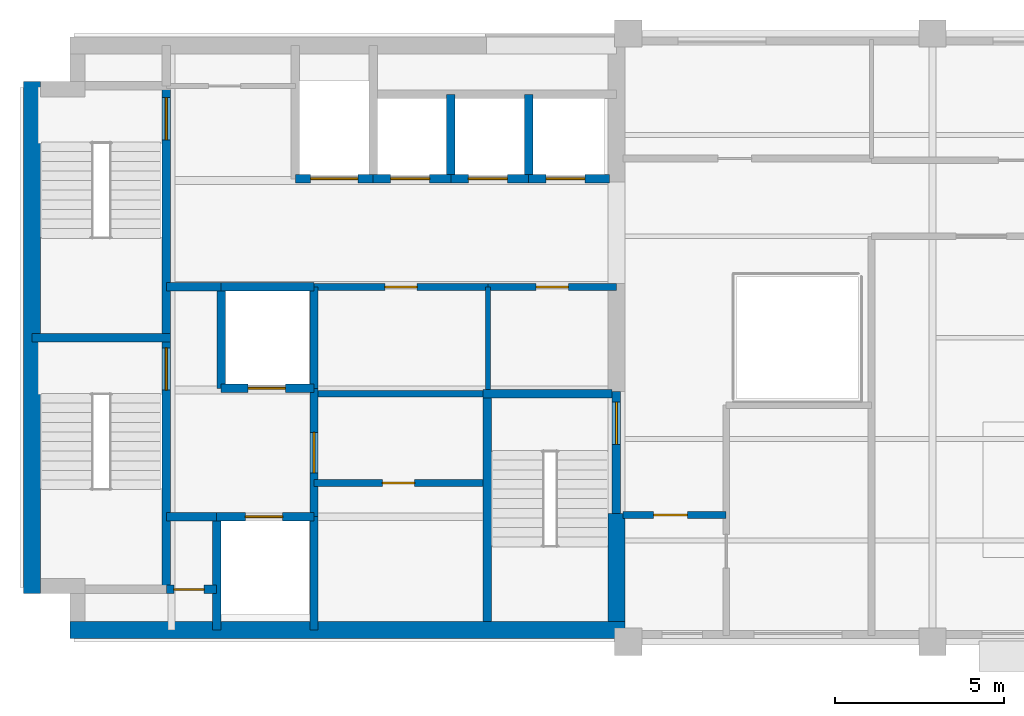
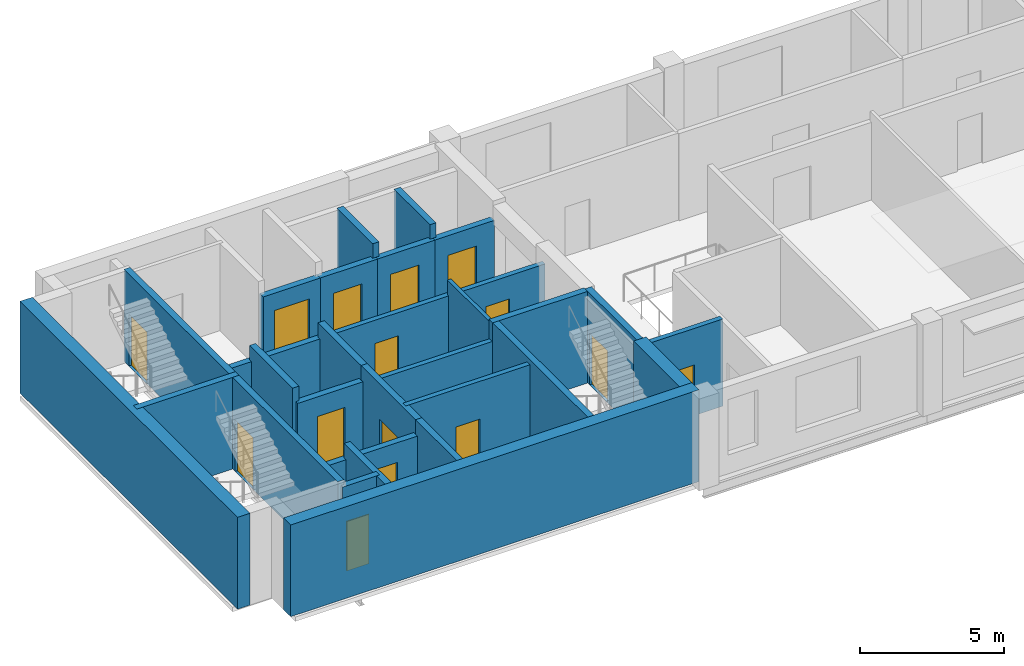
# One storey, part 2 of 5: 32 walls, 15 doors, 15 openings.
"""IFC4 building model written with IfcOpenShell, lengths in metres."""

from ifc_helpers import new_model, si_unit, direction, frame, frame_2d, origin, place, context, subcontext, project, spatial, rectangle, extrude, material, layer, layer_set, type_object, element, fill, save


model = new_model("IFC4")

# Units and contexts
model_context = context("Model", 3, precision=1e-05, world=origin(), true_north=direction((0.0, 1.0)))
body_context = subcontext(model_context, "Body", "Model", "MODEL_VIEW")
ifc_project = project(units=[si_unit("LENGTHUNIT", "METRE"), si_unit("AREAUNIT", "SQUARE_METRE"), si_unit("VOLUMEUNIT", "CUBIC_METRE"), si_unit("PLANEANGLEUNIT", "RADIAN"), si_unit("MASSUNIT", "GRAM", prefix="KILO")], contexts=[model_context])

# Site, building, storey
site_placement = place(None, origin())
site = spatial("IfcSite", under=ifc_project, at=site_placement, CompositionType="ELEMENT")
building_placement = place(site_placement, origin())
building = spatial("IfcBuilding", under=site, at=building_placement, Name="Mawjdan Bourse Tower", CompositionType="ELEMENT")
storey_placement = place(building_placement, frame((0.0, 0.0, 270.300048828125)))
storey = spatial("IfcBuildingStorey", under=building, at=storey_placement, Name="L66", CompositionType="ELEMENT", Elevation=270.300048828125)

# Wall, opening, door
ifc_material_1 = material(Name="Gypsum Fireboard Assembly")
ifc_layer_1 = layer(ifc_material_1, 0.199951171875)
ifc_layer_set_1 = layer_set([ifc_layer_1], Name="Gypsum Fireboard Assembly")
wall_type_1 = type_object("IfcWallType", Name="WL-CMP-200", PredefinedType="PARTITIONING", material=ifc_layer_set_1)
wall_1_placement = place(storey_placement, frame((14.699951171875, 7.699951171875, 0.0), z_axis=(0.0, 0.0, 1.0), x_axis=(1.0, 0.0, 0.0)))
wall_1 = element("IfcWall", 1, at=wall_1_placement, inside=storey, type_object=wall_type_1, Name="L66 Staff Tea Pantry North Wall", PredefinedType="PARTITIONING", context=body_context, shape_type="SweptSolid", body=[
    extrude(rectangle(XDim=5.0, YDim=0.199951171875, at=frame_2d((2.5, 0.0))), origin(), (0.0, 0.0, 1.0), 3.704833984375),
])
opening_1_placement = place(wall_1_placement, frame((2.02490234375, 0.0, 0.0)))
opening_1 = element("IfcOpeningElement", 2, at=opening_1_placement, cuts=wall_1, Name="Opening D-L66-13", PredefinedType="OPENING", context=body_context, shape_type="SweptSolid", body=[
    extrude(rectangle(XDim=0.949951171875, YDim=2.10009765625, at=frame_2d((0.47509765625, 1.050048828125))), frame((0.0, 0.10986328125, 0.0), z_axis=(0.0, -1.0, 0.0), x_axis=(1.0, 0.0, 0.0)), (0.0, 0.0, 1.0), 0.219970703125),
])
ifc_material_2 = material(Name="Moisture-Resistant Laminate Timber", Category="wood")
door_type_1 = type_object("IfcDoorType", Name="DR-WET-0950", OperationType="NOTDEFINED", PredefinedType="DOOR", material=ifc_material_2)
door_1_placement = place(opening_1_placement, origin())
door_1 = element("IfcDoor", 3, at=door_1_placement, inside=storey, type_object=door_type_1, Name="L66 Staff Tea Pantry Door D-L66-13", OperationType="SINGLE_SWING_LEFT", OverallHeight=2.10009765625, OverallWidth=0.949951171875, PredefinedType="DOOR", context=body_context, shape_type="SweptSolid", body=[
    extrude(rectangle(XDim=0.949951171875, YDim=2.10009765625, at=frame_2d((0.47509765625, 1.050048828125))), frame((0.0, 0.02490234375, 0.0), z_axis=(0.0, -1.0, 0.0), x_axis=(1.0, 0.0, 0.0)), (0.0, 0.0, 1.0), 0.050048828125),
])
fill(opening_1, door_1)

# Wall
wall_2_placement = place(storey_placement, frame((14.824951171875, 10.340087890625, 0.0), z_axis=(0.0, 0.0, 1.0), x_axis=(1.0, 0.0, 0.0)))
element("IfcWall", 4, at=wall_2_placement, inside=storey, type_object=wall_type_1, Name="L66 Core Restroom Suite South Wall", PredefinedType="PARTITIONING", context=body_context, shape_type="SweptSolid", body=[
    extrude(rectangle(XDim=4.880126953125, YDim=0.199951171875, at=frame_2d((2.43994140625, 0.0))), origin(), (0.0, 0.0, 1.0), 3.087890625),
])

# Wall, opening, door
wall_3_placement = place(storey_placement, frame((14.699951171875, 13.5, 0.0), z_axis=(0.0, 0.0, 1.0), x_axis=(1.0, 0.0, 0.0)))
wall_3 = element("IfcWall", 5, at=wall_3_placement, inside=storey, type_object=wall_type_1, Name="L66 Accessible WC North Wall", PredefinedType="PARTITIONING", context=body_context, shape_type="SweptSolid", body=[
    extrude(rectangle(XDim=5.150146484375, YDim=0.199951171875, at=frame_2d((2.5751953125, 0.0))), origin(), (0.0, 0.0, 1.0), 3.087890625),
])
opening_2_placement = place(wall_3_placement, frame((2.10009765625, 0.0, 0.0)))
opening_2 = element("IfcOpeningElement", 6, at=opening_2_placement, cuts=wall_3, Name="Opening D-L66-14", PredefinedType="OPENING", context=body_context, shape_type="SweptSolid", body=[
    extrude(rectangle(XDim=0.949951171875, YDim=2.10009765625, at=frame_2d((0.47509765625, 1.050048828125))), frame((0.0, 0.10986328125, 0.0), z_axis=(0.0, -1.0, 0.0), x_axis=(1.0, 0.0, 0.0)), (0.0, 0.0, 1.0), 0.219970703125),
])
door_2_placement = place(opening_2_placement, origin())
door_2 = element("IfcDoor", 7, at=door_2_placement, inside=storey, type_object=door_type_1, Name="L66 Accessible WC Door D-L66-14", OperationType="SINGLE_SWING_RIGHT", OverallHeight=2.10009765625, OverallWidth=0.949951171875, PredefinedType="DOOR", context=body_context, shape_type="SweptSolid", body=[
    extrude(rectangle(XDim=0.949951171875, YDim=2.10009765625, at=frame_2d((0.47509765625, 1.050048828125))), frame((0.0, 0.02490234375, 0.0), z_axis=(0.0, -1.0, 0.0), x_axis=(1.0, 0.0, 0.0)), (0.0, 0.0, 1.0), 0.050048828125),
])
fill(opening_2, door_2)

wall_4_placement = place(storey_placement, frame((19.85009765625, 13.5, 0.0), z_axis=(0.0, 0.0, 1.0), x_axis=(1.0, 0.0, 0.0)))
wall_4 = element("IfcWall", 8, at=wall_4_placement, inside=storey, type_object=wall_type_1, Name="L66 Executive Restroom Suite North Wall", PredefinedType="PARTITIONING", context=body_context, shape_type="SweptSolid", body=[
    extrude(rectangle(XDim=3.7998046875, YDim=0.199951171875, at=frame_2d((1.89990234375, 0.0))), origin(), (0.0, 0.0, 1.0), 3.087890625),
])
opening_3_placement = place(wall_4_placement, frame((1.425048828125, 0.0, 0.0)))
opening_3 = element("IfcOpeningElement", 9, at=opening_3_placement, cuts=wall_4, Name="Opening D-L66-15", PredefinedType="OPENING", context=body_context, shape_type="SweptSolid", body=[
    extrude(rectangle(XDim=0.949951171875, YDim=2.10009765625, at=frame_2d((0.47509765625, 1.050048828125))), frame((0.0, 0.10986328125, 0.0), z_axis=(0.0, -1.0, 0.0), x_axis=(1.0, 0.0, 0.0)), (0.0, 0.0, 1.0), 0.219970703125),
])
door_3_placement = place(opening_3_placement, origin())
door_3 = element("IfcDoor", 10, at=door_3_placement, inside=storey, type_object=door_type_1, Name="L66 Executive Restroom Suite Door D-L66-15", OperationType="SINGLE_SWING_LEFT", OverallHeight=2.10009765625, OverallWidth=0.949951171875, PredefinedType="DOOR", context=body_context, shape_type="SweptSolid", body=[
    extrude(rectangle(XDim=0.949951171875, YDim=2.10009765625, at=frame_2d((0.47509765625, 1.050048828125))), frame((0.0, 0.02490234375, 0.0), z_axis=(0.0, -1.0, 0.0), x_axis=(1.0, 0.0, 0.0)), (0.0, 0.0, 1.0), 0.050048828125),
])
fill(opening_3, door_3)

wall_5_placement = place(storey_placement, frame((23.85009765625, 6.75, 0.0), z_axis=(0.0, 0.0, 1.0), x_axis=(1.0, 0.0, 0.0)))
wall_5 = element("IfcWall", 11, at=wall_5_placement, inside=storey, type_object=wall_type_1, Name="L66 Summit SW Study North Wall", PredefinedType="PARTITIONING", context=body_context, shape_type="SweptSolid", body=[
    extrude(rectangle(XDim=3.0498046875, YDim=0.199951171875, at=frame_2d((1.52490234375, 0.0))), origin(), (0.0, 0.0, 1.0), 3.704833984375),
])
opening_4_placement = place(wall_5_placement, frame((0.89990234375, 0.0, 0.0)))
opening_4 = element("IfcOpeningElement", 12, at=opening_4_placement, cuts=wall_5, Name="Opening D-L66-17", PredefinedType="OPENING", context=body_context, shape_type="SweptSolid", body=[
    extrude(rectangle(XDim=1.0, YDim=2.14990234375, at=frame_2d((0.5, 1.074951171875))), frame((0.0, 0.10986328125, 0.0), z_axis=(0.0, -1.0, 0.0), x_axis=(1.0, 0.0, 0.0)), (0.0, 0.0, 1.0), 0.219970703125),
])
ifc_material_3 = material(Name="Hardwood Acoustic Leaf", Category="wood")
door_type_2 = type_object("IfcDoorType", Name="DR-OFC-1000", OperationType="NOTDEFINED", PredefinedType="DOOR", material=ifc_material_3)
door_4_placement = place(opening_4_placement, origin())
door_4 = element("IfcDoor", 13, at=door_4_placement, inside=storey, type_object=door_type_2, Name="L66 Summit SW Study Door D-L66-17", OperationType="SINGLE_SWING_LEFT", OverallHeight=2.14990234375, OverallWidth=1.0, PredefinedType="DOOR", context=body_context, shape_type="SweptSolid", body=[
    extrude(rectangle(XDim=1.0, YDim=2.14990234375, at=frame_2d((0.5, 1.074951171875))), frame((0.0, 0.02490234375, 0.0), z_axis=(0.0, -1.0, 0.0), x_axis=(1.0, 0.0, 0.0)), (0.0, 0.0, 1.0), 0.050048828125),
])
fill(opening_4, door_4)

# Walls
ifc_material_4 = material(Name="Concrete C60/75", Category="concrete")
ifc_layer_2 = layer(ifc_material_4, 0.5)
ifc_layer_set_2 = layer_set([ifc_layer_2], Name="Concrete C60/75")
wall_type_2 = type_object("IfcWallType", Name="WL-CORE-500", PredefinedType="SHEAR", material=ifc_layer_set_2)
wall_6_placement = place(storey_placement, frame((7.47509765625, 3.35009765625, 0.0), z_axis=(0.0, 0.0, 1.0), x_axis=(1.0, 0.0, 0.0)))
element("IfcWall", 14, at=wall_6_placement, inside=storey, type_object=wall_type_2, Name="L66 Rear Core Shear Wall S", PredefinedType="SHEAR", context=body_context, shape_type="SweptSolid", body=[
    extrude(rectangle(XDim=16.4248046875, YDim=0.5, at=frame_2d((8.21240234375, 0.0))), origin(), (0.0, 0.0, 1.0), 3.89990234375),
])
wall_7_placement = place(storey_placement, frame((6.35009765625, 4.425048828125, 0.0), z_axis=(0.0, 0.0, 1.0), x_axis=(0.0, 1.0, 0.0)))
element("IfcWall", 15, at=wall_7_placement, inside=storey, type_object=wall_type_2, Name="L66 Rear Core Shear Wall W", PredefinedType="SHEAR", context=body_context, shape_type="SweptSolid", body=[
    extrude(rectangle(XDim=15.14990234375, YDim=0.5, at=frame_2d((7.574951171875, 0.0))), origin(), (0.0, 0.0, 1.0), 3.89990234375),
])
wall_8_placement = place(storey_placement, frame((23.64990234375, 3.60009765625, 0.0), z_axis=(0.0, 0.0, 1.0), x_axis=(0.0, 1.0, 0.0)))
element("IfcWall", 16, at=wall_8_placement, inside=storey, type_object=wall_type_2, Name="L66 Rear Core Shear Wall E1", PredefinedType="SHEAR", context=body_context, shape_type="SweptSolid", body=[
    extrude(rectangle(XDim=3.199951171875, YDim=0.5, at=frame_2d((1.60009765625, 0.0))), origin(), (0.0, 0.0, 1.0), 3.89990234375),
])
ifc_material_5 = material(Name="Gypsum Acoustic Partition")
ifc_layer_3 = layer(ifc_material_5, 0.14990234375)
ifc_layer_set_3 = layer_set([ifc_layer_3], Name="Gypsum Acoustic Partition")
wall_type_3 = type_object("IfcWallType", Name="WL-PRT-150", PredefinedType="PARTITIONING", material=ifc_layer_set_3)
wall_9_placement = place(storey_placement, frame((19.85009765625, 10.465087890625, 0.0), z_axis=(0.0, 0.0, 1.0), x_axis=(0.0, 1.0, 0.0)))
element("IfcWall", 17, at=wall_9_placement, inside=storey, type_object=wall_type_3, Name="L66 Executive Restroom Suite Split Wall", PredefinedType="PARTITIONING", context=body_context, shape_type="SweptSolid", body=[
    extrude(rectangle(XDim=3.034912109375, YDim=0.14990234375, at=frame_2d((1.517578125, 0.0))), origin(), (0.0, 0.0, 1.0), 3.704833984375),
])

# Wall, opening, door
ifc_material_6 = material(Name="Concrete C50/60", Category="concrete")
ifc_layer_4 = layer(ifc_material_6, 0.25)
ifc_layer_set_4 = layer_set([ifc_layer_4], Name="Concrete C50/60")
wall_type_4 = type_object("IfcWallType", Name="WL-SHFT-250", PredefinedType="PARTITIONING", material=ifc_layer_set_4)
wall_10_placement = place(storey_placement, frame((10.330078125, 4.550048828125, 0.0), z_axis=(0.0, 0.0, 1.0), x_axis=(1.0, 0.0, 0.0)))
wall_10 = element("IfcWall", 18, at=wall_10_placement, inside=storey, type_object=wall_type_4, Name="L66 SW Riser North Wall", PredefinedType="PARTITIONING", context=body_context, shape_type="SweptSolid", body=[
    extrude(rectangle(XDim=1.489990234375, YDim=0.25, at=frame_2d((0.7451171875, 0.0))), origin(), (0.0, 0.0, 1.0), 3.704833984375),
])
opening_5_placement = place(wall_10_placement, frame((0.219970703125, 0.0, 0.0)))
opening_5 = element("IfcOpeningElement", 19, at=opening_5_placement, cuts=wall_10, Name="Opening RD-L66-03", PredefinedType="OPENING", context=body_context, shape_type="SweptSolid", body=[
    extrude(rectangle(XDim=0.89990234375, YDim=2.10009765625, at=frame_2d((0.449951171875, 1.050048828125))), frame((0.0, 0.135009765625, 0.0), z_axis=(0.0, -1.0, 0.0), x_axis=(1.0, 0.0, 0.0)), (0.0, 0.0, 1.0), 0.27001953125),
])
ifc_material_7 = material(Name="Fire-Rated Steel Access Leaf", Category="steel")
door_type_3 = type_object("IfcDoorType", Name="FD-RSR-0900", OperationType="NOTDEFINED", PredefinedType="TRAPDOOR", material=ifc_material_7)
door_5_placement = place(opening_5_placement, origin())
door_5 = element("IfcDoor", 20, at=door_5_placement, inside=storey, type_object=door_type_3, Name="L66 Electrical Riser Access Door RD-L66-03", OperationType="SINGLE_SWING_LEFT", OverallHeight=2.10009765625, OverallWidth=0.89990234375, PredefinedType="TRAPDOOR", context=body_context, shape_type="SweptSolid", body=[
    extrude(rectangle(XDim=0.89990234375, YDim=2.10009765625, at=frame_2d((0.449951171875, 1.050048828125))), frame((0.0, 0.02490234375, 0.0), z_axis=(0.0, -1.0, 0.0), x_axis=(1.0, 0.0, 0.0)), (0.0, 0.0, 1.0), 0.050048828125),
])
fill(opening_5, door_5)

# Wall
wall_11_placement = place(storey_placement, frame((11.820068359375, 3.35009765625, 0.0), z_axis=(0.0, 0.0, 1.0), x_axis=(0.0, 1.0, 0.0)))
element("IfcWall", 21, at=wall_11_placement, inside=storey, type_object=wall_type_4, Name="L66 SW Riser & FFL01 West Wall", PredefinedType="PARTITIONING", context=body_context, shape_type="SweptSolid", body=[
    extrude(rectangle(XDim=3.349853515625, YDim=0.25, at=frame_2d((1.6748046875, 0.0))), origin(), (0.0, 0.0, 1.0), 3.704833984375),
])

# Wall, opening, door
wall_12_placement = place(storey_placement, frame((11.820068359375, 6.699951171875, 0.0), z_axis=(0.0, 0.0, 1.0), x_axis=(1.0, 0.0, 0.0)))
wall_12 = element("IfcWall", 22, at=wall_12_placement, inside=storey, type_object=wall_type_4, Name="L66 FFL-01 Front Shaft Wall", PredefinedType="PARTITIONING", context=body_context, shape_type="SweptSolid", body=[
    extrude(rectangle(XDim=2.8798828125, YDim=0.25, at=frame_2d((1.43994140625, 0.0))), origin(), (0.0, 0.0, 1.0), 3.087890625),
])
opening_6_placement = place(wall_12_placement, frame((0.85009765625, 0.0, 0.0)))
opening_6 = element("IfcOpeningElement", 23, at=opening_6_placement, cuts=wall_12, Name="Opening LD-L66-05", PredefinedType="OPENING", context=body_context, shape_type="SweptSolid", body=[
    extrude(rectangle(XDim=1.10009765625, YDim=2.25, at=frame_2d((0.550048828125, 1.125))), frame((0.0, 0.135009765625, 0.0), z_axis=(0.0, -1.0, 0.0), x_axis=(1.0, 0.0, 0.0)), (0.0, 0.0, 1.0), 0.27001953125),
])
ifc_material_8 = material(Name="Brushed Stainless Steel", Category="steel")
door_type_4 = type_object("IfcDoorType", Name="LD-FFL-1100", OperationType="DOUBLE_DOOR_SLIDING", PredefinedType="DOOR", material=ifc_material_8)
door_6_placement = place(opening_6_placement, origin())
door_6 = element("IfcDoor", 24, at=door_6_placement, inside=storey, type_object=door_type_4, Name="L66 Firefighting Lift FFL-01 Landing Door LD-L66-05", OperationType="DOUBLE_DOOR_SLIDING", OverallHeight=2.25, OverallWidth=1.10009765625, PredefinedType="DOOR", context=body_context, shape_type="SweptSolid", body=[
    extrude(rectangle(XDim=1.10009765625, YDim=2.25, at=frame_2d((0.550048828125, 1.125))), frame((0.0, 0.02490234375, 0.0), z_axis=(0.0, -1.0, 0.0), x_axis=(1.0, 0.0, 0.0)), (0.0, 0.0, 1.0), 0.050048828125),
])
fill(opening_6, door_6)

# Wall
wall_13_placement = place(storey_placement, frame((14.699951171875, 3.35009765625, 0.0), z_axis=(0.0, 0.0, 1.0), x_axis=(0.0, 1.0, 0.0)))
element("IfcWall", 25, at=wall_13_placement, inside=storey, type_object=wall_type_4, Name="L66 FFL-01 East Shaft Wall", PredefinedType="PARTITIONING", context=body_context, shape_type="SweptSolid", body=[
    extrude(rectangle(XDim=3.349853515625, YDim=0.25, at=frame_2d((1.6748046875, 0.0))), origin(), (0.0, 0.0, 1.0), 3.704833984375),
])

# Wall, opening, door
wall_14_placement = place(storey_placement, frame((11.949951171875, 10.5, 0.0), z_axis=(0.0, 0.0, 1.0), x_axis=(1.0, 0.0, 0.0)))
wall_14 = element("IfcWall", 26, at=wall_14_placement, inside=storey, type_object=wall_type_4, Name="L66 FFL-02 Front Shaft Wall", PredefinedType="PARTITIONING", context=body_context, shape_type="SweptSolid", body=[
    extrude(rectangle(XDim=2.75, YDim=0.25, at=frame_2d((1.375, 0.0))), origin(), (0.0, 0.0, 1.0), 3.087890625),
])
opening_7_placement = place(wall_14_placement, frame((0.800048828125, 0.0, 0.0)))
opening_7 = element("IfcOpeningElement", 27, at=opening_7_placement, cuts=wall_14, Name="Opening LD-L66-06", PredefinedType="OPENING", context=body_context, shape_type="SweptSolid", body=[
    extrude(rectangle(XDim=1.10009765625, YDim=2.25, at=frame_2d((0.550048828125, 1.125))), frame((0.0, 0.135009765625, 0.0), z_axis=(0.0, -1.0, 0.0), x_axis=(1.0, 0.0, 0.0)), (0.0, 0.0, 1.0), 0.27001953125),
])
door_7_placement = place(opening_7_placement, origin())
door_7 = element("IfcDoor", 28, at=door_7_placement, inside=storey, type_object=door_type_4, Name="L66 Firefighting Lift FFL-02 Landing Door LD-L66-06", OperationType="DOUBLE_DOOR_SLIDING", OverallHeight=2.25, OverallWidth=1.10009765625, PredefinedType="DOOR", context=body_context, shape_type="SweptSolid", body=[
    extrude(rectangle(XDim=1.10009765625, YDim=2.25, at=frame_2d((0.550048828125, 1.125))), frame((0.0, 0.02490234375, 0.0), z_axis=(0.0, -1.0, 0.0), x_axis=(1.0, 0.0, 0.0)), (0.0, 0.0, 1.0), 0.050048828125),
])
fill(opening_7, door_7)

# Walls
wall_15_placement = place(storey_placement, frame((11.949951171875, 10.5, 0.0), z_axis=(0.0, 0.0, 1.0), x_axis=(0.0, 1.0, 0.0)))
element("IfcWall", 29, at=wall_15_placement, inside=storey, type_object=wall_type_4, Name="L66 FFL-02 West Shaft Wall", PredefinedType="PARTITIONING", context=body_context, shape_type="SweptSolid", body=[
    extrude(rectangle(XDim=3.0, YDim=0.25, at=frame_2d((1.5, 0.0))), origin(), (0.0, 0.0, 1.0), 3.704833984375),
])
wall_16_placement = place(storey_placement, frame((11.949951171875, 13.5, 0.0), z_axis=(0.0, 0.0, 1.0), x_axis=(1.0, 0.0, 0.0)))
element("IfcWall", 30, at=wall_16_placement, inside=storey, type_object=wall_type_4, Name="L66 FFL-02 North Shaft Wall", PredefinedType="PARTITIONING", context=body_context, shape_type="SweptSolid", body=[
    extrude(rectangle(XDim=2.75, YDim=0.25, at=frame_2d((1.375, 0.0))), origin(), (0.0, 0.0, 1.0), 3.087890625),
])
wall_17_placement = place(storey_placement, frame((14.699951171875, 10.5, 0.0), z_axis=(0.0, 0.0, 1.0), x_axis=(0.0, 1.0, 0.0)))
element("IfcWall", 31, at=wall_17_placement, inside=storey, type_object=wall_type_4, Name="L66 FFL-02 East Shaft Wall", PredefinedType="PARTITIONING", context=body_context, shape_type="SweptSolid", body=[
    extrude(rectangle(XDim=3.0, YDim=0.25, at=frame_2d((1.5, 0.0))), origin(), (0.0, 0.0, 1.0), 3.704833984375),
])

# Wall, opening, door
wall_18_placement = place(storey_placement, frame((14.699951171875, 6.699951171875, 0.0), z_axis=(0.0, 0.0, 1.0), x_axis=(0.0, 1.0, 0.0)))
wall_18 = element("IfcWall", 32, at=wall_18_placement, inside=storey, type_object=wall_type_4, Name="L66 Firefighting Lobby East Compartment Wall", PredefinedType="PARTITIONING", context=body_context, shape_type="SweptSolid", body=[
    extrude(rectangle(XDim=3.800048828125, YDim=0.25, at=frame_2d((1.89990234375, 0.0))), origin(), (0.0, 0.0, 1.0), 3.704833984375),
])
opening_8_placement = place(wall_18_placement, frame((1.300048828125, 0.0, 0.0)))
opening_8 = element("IfcOpeningElement", 33, at=opening_8_placement, cuts=wall_18, Name="Opening FD-L66-07", PredefinedType="OPENING", context=body_context, shape_type="SweptSolid", body=[
    extrude(rectangle(XDim=1.199951171875, YDim=2.199951171875, at=frame_2d((0.60009765625, 1.10009765625))), frame((0.0, 0.135009765625, 0.0), z_axis=(0.0, -1.0, 0.0), x_axis=(1.0, 0.0, 0.0)), (0.0, 0.0, 1.0), 0.27001953125),
])
ifc_material_9 = material(Name="Fire-Rated Steel Leaf", Category="steel")
door_type_5 = type_object("IfcDoorType", Name="FD-FFL-1200", OperationType="NOTDEFINED", PredefinedType="DOOR", material=ifc_material_9)
door_8_placement = place(opening_8_placement, origin())
door_8 = element("IfcDoor", 34, at=door_8_placement, inside=storey, type_object=door_type_5, Name="L66 Firefighting Lobby East Smoke Door FD-L66-07", OperationType="SINGLE_SWING_LEFT", OverallHeight=2.199951171875, OverallWidth=1.199951171875, PredefinedType="DOOR", context=body_context, shape_type="SweptSolid", body=[
    extrude(rectangle(XDim=1.199951171875, YDim=2.199951171875, at=frame_2d((0.60009765625, 1.10009765625))), frame((0.0, 0.02490234375, 0.0), z_axis=(0.0, -1.0, 0.0), x_axis=(1.0, 0.0, 0.0)), (0.0, 0.0, 1.0), 0.050048828125),
])
fill(opening_8, door_8)

# Walls
wall_19_placement = place(storey_placement, frame((10.330078125, 13.5, 0.0), z_axis=(0.0, 0.0, 1.0), x_axis=(1.0, 0.0, 0.0)))
element("IfcWall", 35, at=wall_19_placement, inside=storey, type_object=wall_type_4, Name="L66 Firefighting Lobby North Compartment Wall", PredefinedType="PARTITIONING", context=body_context, shape_type="SweptSolid", body=[
    extrude(rectangle(XDim=1.619873046875, YDim=0.25, at=frame_2d((0.81005859375, 0.0))), origin(), (0.0, 0.0, 1.0), 3.087890625),
])
wall_20_placement = place(storey_placement, frame((10.330078125, 6.699951171875, 0.0), z_axis=(0.0, 0.0, 1.0), x_axis=(1.0, 0.0, 0.0)))
element("IfcWall", 36, at=wall_20_placement, inside=storey, type_object=wall_type_4, Name="L66 Firefighting Lobby South Closure Wall", PredefinedType="PARTITIONING", context=body_context, shape_type="SweptSolid", body=[
    extrude(rectangle(XDim=1.489990234375, YDim=0.25, at=frame_2d((0.7451171875, 0.0))), origin(), (0.0, 0.0, 1.0), 3.087890625),
])

# Wall, opening, door
wall_21_placement = place(storey_placement, frame((14.14990234375, 16.699951171875, 0.0), z_axis=(0.0, 0.0, 1.0), x_axis=(1.0, 0.0, 0.0)))
wall_21 = element("IfcWall", 37, at=wall_21_placement, inside=storey, type_object=wall_type_4, Name="L66 SVL-01 Front Shaft Wall", PredefinedType="PARTITIONING", context=body_context, shape_type="SweptSolid", body=[
    extrude(rectangle(XDim=2.300048828125, YDim=0.25, at=frame_2d((1.14990234375, 0.0))), origin(), (0.0, 0.0, 1.0), 3.087890625),
])
opening_9_placement = place(wall_21_placement, frame((0.449951171875, 0.0, 0.0)))
opening_9 = element("IfcOpeningElement", 38, at=opening_9_placement, cuts=wall_21, Name="Opening LD-L66-09", PredefinedType="OPENING", context=body_context, shape_type="SweptSolid", body=[
    extrude(rectangle(XDim=1.39990234375, YDim=2.35009765625, at=frame_2d((0.699951171875, 1.175048828125))), frame((0.0, 0.135009765625, 0.0), z_axis=(0.0, -1.0, 0.0), x_axis=(1.0, 0.0, 0.0)), (0.0, 0.0, 1.0), 0.27001953125),
])
ifc_material_10 = material(Name="Heavy-Duty Stainless Steel", Category="steel")
door_type_6 = type_object("IfcDoorType", Name="LD-SRV-1400", OperationType="DOUBLE_DOOR_SLIDING", PredefinedType="DOOR", material=ifc_material_10)
door_9_placement = place(opening_9_placement, origin())
door_9 = element("IfcDoor", 39, at=door_9_placement, inside=storey, type_object=door_type_6, Name="L66 Service Lift SVL-01 Landing Door LD-L66-09", OperationType="DOUBLE_DOOR_SLIDING", OverallHeight=2.35009765625, OverallWidth=1.39990234375, PredefinedType="DOOR", context=body_context, shape_type="SweptSolid", body=[
    extrude(rectangle(XDim=1.39990234375, YDim=2.35009765625, at=frame_2d((0.699951171875, 1.175048828125))), frame((0.0, 0.02490234375, 0.0), z_axis=(0.0, -1.0, 0.0), x_axis=(1.0, 0.0, 0.0)), (0.0, 0.0, 1.0), 0.050048828125),
])
fill(opening_9, door_9)

wall_22_placement = place(storey_placement, frame((16.449951171875, 16.699951171875, 0.0), z_axis=(0.0, 0.0, 1.0), x_axis=(1.0, 0.0, 0.0)))
wall_22 = element("IfcWall", 40, at=wall_22_placement, inside=storey, type_object=wall_type_4, Name="L66 PH-01 Front Wall", PredefinedType="PARTITIONING", context=body_context, shape_type="SweptSolid", body=[
    extrude(rectangle(XDim=2.300048828125, YDim=0.25, at=frame_2d((1.14990234375, 0.0))), origin(), (0.0, 0.0, 1.0), 3.087890625),
])
opening_10_placement = place(wall_22_placement, frame((0.52001953125, 0.0, 0.0)))
opening_10 = element("IfcOpeningElement", 41, at=opening_10_placement, cuts=wall_22, Name="Opening LD-L66-10", PredefinedType="OPENING", context=body_context, shape_type="SweptSolid", body=[
    extrude(rectangle(XDim=1.14990234375, YDim=2.25, at=frame_2d((0.574951171875, 1.125))), frame((0.0, 0.135009765625, 0.0), z_axis=(0.0, -1.0, 0.0), x_axis=(1.0, 0.0, 0.0)), (0.0, 0.0, 1.0), 0.27001953125),
])
door_type_7 = type_object("IfcDoorType", Name="LD-PAS-1150", OperationType="DOUBLE_DOOR_SLIDING", PredefinedType="DOOR", material=ifc_material_8)
door_10_placement = place(opening_10_placement, origin())
door_10 = element("IfcDoor", 42, at=door_10_placement, inside=storey, type_object=door_type_7, Name="L66 Lift PH-01 Landing Door LD-L66-10", OperationType="DOUBLE_DOOR_SLIDING", OverallHeight=2.25, OverallWidth=1.14990234375, PredefinedType="DOOR", context=body_context, shape_type="SweptSolid", body=[
    extrude(rectangle(XDim=1.14990234375, YDim=2.25, at=frame_2d((0.574951171875, 1.125))), frame((0.0, 0.02490234375, 0.0), z_axis=(0.0, -1.0, 0.0), x_axis=(1.0, 0.0, 0.0)), (0.0, 0.0, 1.0), 0.050048828125),
])
fill(opening_10, door_10)

# Wall
wall_23_placement = place(storey_placement, frame((18.75, 16.699951171875, 0.0), z_axis=(0.0, 0.0, 1.0), x_axis=(0.0, 1.0, 0.0)))
element("IfcWall", 43, at=wall_23_placement, inside=storey, type_object=wall_type_4, Name="L66 PH-01 Divider Wall", PredefinedType="PARTITIONING", context=body_context, shape_type="SweptSolid", body=[
    extrude(rectangle(XDim=2.5, YDim=0.25, at=frame_2d((1.25, 0.0))), origin(), (0.0, 0.0, 1.0), 3.704833984375),
])

# Wall, opening, door
wall_24_placement = place(storey_placement, frame((18.75, 16.699951171875, 0.0), z_axis=(0.0, 0.0, 1.0), x_axis=(1.0, 0.0, 0.0)))
wall_24 = element("IfcWall", 44, at=wall_24_placement, inside=storey, type_object=wall_type_4, Name="L66 PH-02 Front Wall", PredefinedType="PARTITIONING", context=body_context, shape_type="SweptSolid", body=[
    extrude(rectangle(XDim=2.300048828125, YDim=0.25, at=frame_2d((1.14990234375, 0.0))), origin(), (0.0, 0.0, 1.0), 3.087890625),
])
opening_11_placement = place(wall_24_placement, frame((0.52001953125, 0.0, 0.0)))
opening_11 = element("IfcOpeningElement", 45, at=opening_11_placement, cuts=wall_24, Name="Opening LD-L66-11", PredefinedType="OPENING", context=body_context, shape_type="SweptSolid", body=[
    extrude(rectangle(XDim=1.14990234375, YDim=2.25, at=frame_2d((0.574951171875, 1.125))), frame((0.0, 0.135009765625, 0.0), z_axis=(0.0, -1.0, 0.0), x_axis=(1.0, 0.0, 0.0)), (0.0, 0.0, 1.0), 0.27001953125),
])
door_11_placement = place(opening_11_placement, origin())
door_11 = element("IfcDoor", 46, at=door_11_placement, inside=storey, type_object=door_type_7, Name="L66 Lift PH-02 Landing Door LD-L66-11", OperationType="DOUBLE_DOOR_SLIDING", OverallHeight=2.25, OverallWidth=1.14990234375, PredefinedType="DOOR", context=body_context, shape_type="SweptSolid", body=[
    extrude(rectangle(XDim=1.14990234375, YDim=2.25, at=frame_2d((0.574951171875, 1.125))), frame((0.0, 0.02490234375, 0.0), z_axis=(0.0, -1.0, 0.0), x_axis=(1.0, 0.0, 0.0)), (0.0, 0.0, 1.0), 0.050048828125),
])
fill(opening_11, door_11)

# Wall
wall_25_placement = place(storey_placement, frame((21.050048828125, 16.699951171875, 0.0), z_axis=(0.0, 0.0, 1.0), x_axis=(0.0, 1.0, 0.0)))
element("IfcWall", 47, at=wall_25_placement, inside=storey, type_object=wall_type_4, Name="L66 PH-02 Divider Wall", PredefinedType="PARTITIONING", context=body_context, shape_type="SweptSolid", body=[
    extrude(rectangle(XDim=2.5, YDim=0.25, at=frame_2d((1.25, 0.0))), origin(), (0.0, 0.0, 1.0), 3.704833984375),
])

# Wall, opening, door
wall_26_placement = place(storey_placement, frame((21.050048828125, 16.699951171875, 0.0), z_axis=(0.0, 0.0, 1.0), x_axis=(1.0, 0.0, 0.0)))
wall_26 = element("IfcWall", 48, at=wall_26_placement, inside=storey, type_object=wall_type_4, Name="L66 PH-03 Front Wall", PredefinedType="PARTITIONING", context=body_context, shape_type="SweptSolid", body=[
    extrude(rectangle(XDim=2.39990234375, YDim=0.25, at=frame_2d((1.199951171875, 0.0))), origin(), (0.0, 0.0, 1.0), 3.087890625),
])
opening_12_placement = place(wall_26_placement, frame((0.52001953125, 0.0, 0.0)))
opening_12 = element("IfcOpeningElement", 49, at=opening_12_placement, cuts=wall_26, Name="Opening LD-L66-12", PredefinedType="OPENING", context=body_context, shape_type="SweptSolid", body=[
    extrude(rectangle(XDim=1.14990234375, YDim=2.25, at=frame_2d((0.574951171875, 1.125))), frame((0.0, 0.135009765625, 0.0), z_axis=(0.0, -1.0, 0.0), x_axis=(1.0, 0.0, 0.0)), (0.0, 0.0, 1.0), 0.27001953125),
])
door_12_placement = place(opening_12_placement, origin())
door_12 = element("IfcDoor", 50, at=door_12_placement, inside=storey, type_object=door_type_7, Name="L66 Lift PH-03 Landing Door LD-L66-12", OperationType="DOUBLE_DOOR_SLIDING", OverallHeight=2.25, OverallWidth=1.14990234375, PredefinedType="DOOR", context=body_context, shape_type="SweptSolid", body=[
    extrude(rectangle(XDim=1.14990234375, YDim=2.25, at=frame_2d((0.574951171875, 1.125))), frame((0.0, 0.02490234375, 0.0), z_axis=(0.0, -1.0, 0.0), x_axis=(1.0, 0.0, 0.0)), (0.0, 0.0, 1.0), 0.050048828125),
])
fill(opening_12, door_12)

# Wall
ifc_layer_5 = layer(ifc_material_6, 0.25)
ifc_layer_set_5 = layer_set([ifc_layer_5], Name="Concrete C50/60")
wall_type_5 = type_object("IfcWallType", Name="WL-STRW-250", PredefinedType="SHEAR", material=ifc_layer_set_5)
wall_27_placement = place(storey_placement, frame((6.35009765625, 12.0, 0.0), z_axis=(0.0, 0.0, 1.0), x_axis=(1.0, 0.0, 0.0)))
element("IfcWall", 51, at=wall_27_placement, inside=storey, type_object=wall_type_5, Name="L66 Stairwell Dividing Shaft Wall", PredefinedType="SHEAR", context=body_context, shape_type="SweptSolid", body=[
    extrude(rectangle(XDim=4.10498046875, YDim=0.25, at=frame_2d((2.052490234375, 0.0))), origin(), (0.0, 0.0, 1.0), 3.89990234375),
])

# Wall, opening, door
wall_28_placement = place(storey_placement, frame((10.330078125, 4.550048828125, 0.0), z_axis=(0.0, 0.0, 1.0), x_axis=(0.0, 1.0, 0.0)))
wall_28 = element("IfcWall", 52, at=wall_28_placement, inside=storey, type_object=wall_type_5, Name="L66 Stairwell ST1 East Enclosure Wall", PredefinedType="SHEAR", context=body_context, shape_type="SweptSolid", body=[
    extrude(rectangle(XDim=7.449951171875, YDim=0.25, at=frame_2d((3.72509765625, 0.0))), origin(), (0.0, 0.0, 1.0), 3.89990234375),
])
opening_13_placement = place(wall_28_placement, frame((5.89990234375, 0.0, 0.0)))
opening_13 = element("IfcOpeningElement", 53, at=opening_13_placement, cuts=wall_28, Name="Opening SD-L66-01", PredefinedType="OPENING", context=body_context, shape_type="SweptSolid", body=[
    extrude(rectangle(XDim=1.25, YDim=2.199951171875, at=frame_2d((0.625, 1.10009765625))), frame((0.0, 0.135009765625, 0.0), z_axis=(0.0, -1.0, 0.0), x_axis=(1.0, 0.0, 0.0)), (0.0, 0.0, 1.0), 0.27001953125),
])
door_type_8 = type_object("IfcDoorType", Name="FD-ST-1250", OperationType="NOTDEFINED", PredefinedType="DOOR", material=ifc_material_9)
door_13_placement = place(opening_13_placement, origin())
door_13 = element("IfcDoor", 54, at=door_13_placement, inside=storey, type_object=door_type_8, Name="L66 Exit Stair ST1 Fire Door SD-L66-01", OperationType="SINGLE_SWING_LEFT", OverallHeight=2.199951171875, OverallWidth=1.25, PredefinedType="DOOR", context=body_context, shape_type="SweptSolid", body=[
    extrude(rectangle(XDim=1.25, YDim=2.199951171875, at=frame_2d((0.625, 1.10009765625))), frame((0.0, 0.02490234375, 0.0), z_axis=(0.0, -1.0, 0.0), x_axis=(1.0, 0.0, 0.0)), (0.0, 0.0, 1.0), 0.050048828125),
])
fill(opening_13, door_13)

wall_29_placement = place(storey_placement, frame((10.330078125, 12.0, 0.0), z_axis=(0.0, 0.0, 1.0), x_axis=(0.0, 1.0, 0.0)))
wall_29 = element("IfcWall", 55, at=wall_29_placement, inside=storey, type_object=wall_type_5, Name="L66 Stairwell ST2 East Enclosure Wall", PredefinedType="SHEAR", context=body_context, shape_type="SweptSolid", body=[
    extrude(rectangle(XDim=7.449951171875, YDim=0.25, at=frame_2d((3.72509765625, 0.0))), origin(), (0.0, 0.0, 1.0), 3.89990234375),
])
opening_14_placement = place(wall_29_placement, frame((5.85009765625, 0.0, 0.0)))
opening_14 = element("IfcOpeningElement", 56, at=opening_14_placement, cuts=wall_29, Name="Opening SD-L66-02", PredefinedType="OPENING", context=body_context, shape_type="SweptSolid", body=[
    extrude(rectangle(XDim=1.25, YDim=2.199951171875, at=frame_2d((0.625, 1.10009765625))), frame((0.0, 0.135009765625, 0.0), z_axis=(0.0, -1.0, 0.0), x_axis=(1.0, 0.0, 0.0)), (0.0, 0.0, 1.0), 0.27001953125),
])
door_14_placement = place(opening_14_placement, origin())
door_14 = element("IfcDoor", 57, at=door_14_placement, inside=storey, type_object=door_type_8, Name="L66 Exit Stair ST2 Fire Door SD-L66-02", OperationType="SINGLE_SWING_RIGHT", OverallHeight=2.199951171875, OverallWidth=1.25, PredefinedType="DOOR", context=body_context, shape_type="SweptSolid", body=[
    extrude(rectangle(XDim=1.25, YDim=2.199951171875, at=frame_2d((0.625, 1.10009765625))), frame((0.0, 0.02490234375, 0.0), z_axis=(0.0, -1.0, 0.0), x_axis=(1.0, 0.0, 0.0)), (0.0, 0.0, 1.0), 0.050048828125),
])
fill(opening_14, door_14)

# Walls
wall_30_placement = place(storey_placement, frame((19.830078125, 3.60009765625, 0.0), z_axis=(0.0, 0.0, 1.0), x_axis=(0.0, 1.0, 0.0)))
element("IfcWall", 58, at=wall_30_placement, inside=storey, type_object=wall_type_5, Name="L66 ST7 West Shaft Wall", PredefinedType="SHEAR", context=body_context, shape_type="SweptSolid", body=[
    extrude(rectangle(XDim=6.739990234375, YDim=0.25, at=frame_2d((3.3701171875, 0.0))), origin(), (0.0, 0.0, 1.0), 3.89990234375),
])
wall_31_placement = place(storey_placement, frame((19.705078125, 10.340087890625, 0.0), z_axis=(0.0, 0.0, 1.0), x_axis=(1.0, 0.0, 0.0)))
element("IfcWall", 59, at=wall_31_placement, inside=storey, type_object=wall_type_5, Name="L66 ST7 North Shaft Wall", PredefinedType="SHEAR", context=body_context, shape_type="SweptSolid", body=[
    extrude(rectangle(XDim=3.81982421875, YDim=0.25, at=frame_2d((1.909912109375, 0.0))), origin(), (0.0, 0.0, 1.0), 3.89990234375),
])

# Wall, opening, door
wall_32_placement = place(storey_placement, frame((23.64990234375, 6.800048828125, 0.0), z_axis=(0.0, 0.0, 1.0), x_axis=(0.0, 1.0, 0.0)))
wall_32 = element("IfcWall", 60, at=wall_32_placement, inside=storey, type_object=wall_type_5, Name="L66 ST7 East Shaft Wall", PredefinedType="SHEAR", context=body_context, shape_type="SweptSolid", body=[
    extrude(rectangle(XDim=3.599853515625, YDim=0.25, at=frame_2d((1.7998046875, 0.0))), origin(), (0.0, 0.0, 1.0), 3.89990234375),
])
opening_15_placement = place(wall_32_placement, frame((2.0400390625, 0.0, 0.0)))
opening_15 = element("IfcOpeningElement", 61, at=opening_15_placement, cuts=wall_32, Name="Opening SD-L66-25", PredefinedType="OPENING", context=body_context, shape_type="SweptSolid", body=[
    extrude(rectangle(XDim=1.25, YDim=2.199951171875, at=frame_2d((0.625, 1.10009765625))), frame((0.0, 0.135009765625, 0.0), z_axis=(0.0, -1.0, 0.0), x_axis=(1.0, 0.0, 0.0)), (0.0, 0.0, 1.0), 0.27001953125),
])
door_15_placement = place(opening_15_placement, origin())
door_15 = element("IfcDoor", 62, at=door_15_placement, inside=storey, type_object=door_type_8, Name="L66 Stair ST7 Fire Door SD-L66-25", OperationType="SINGLE_SWING_LEFT", OverallHeight=2.199951171875, OverallWidth=1.25, PredefinedType="DOOR", context=body_context, shape_type="SweptSolid", body=[
    extrude(rectangle(XDim=1.25, YDim=2.199951171875, at=frame_2d((0.625, 1.10009765625))), frame((0.0, 0.02490234375, 0.0), z_axis=(0.0, -1.0, 0.0), x_axis=(1.0, 0.0, 0.0)), (0.0, 0.0, 1.0), 0.050048828125),
])
fill(opening_15, door_15)

save(model, "model.ifc")
